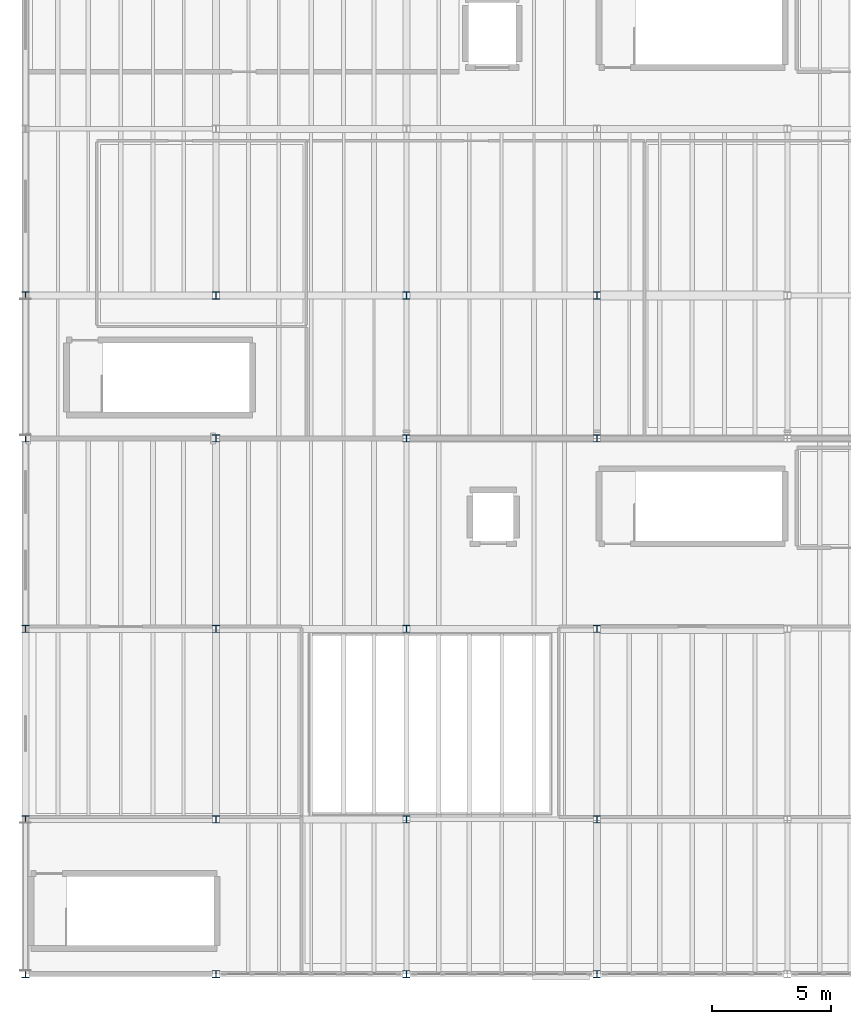
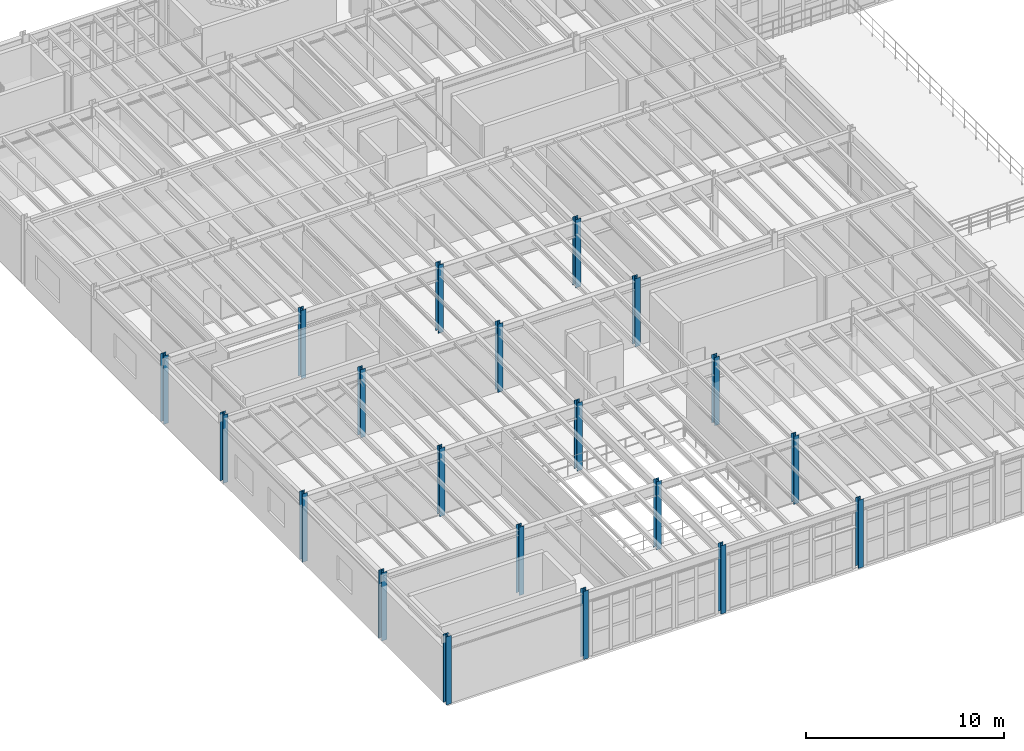
# One storey, part 1 of 78: 20 columns.
"""IFC4 building model written with IfcOpenShell, lengths in metres."""

import ifcopenshell
import ifcopenshell.guid

model = None  # the IFC model being written
_history = None  # IfcOwnerHistory: only IFC2X3 demands one
_inside = {}  # id of a spatial element -> (the spatial element, [elements in it])
_under = {}  # id of a project, library or spatial element -> (it, [spatial elements below it])
_declared = {}  # id of a project -> (the project, [libraries it declares])
_typed = {}  # id of a type object -> (the type object, [elements of that type])
_made_of = {}  # id of a material, layer set ... -> (it, [elements and type objects made of it])


def new_model(schema):
    """Start an empty IFC model of exactly this schema.

    Asked for "IFC4X3", IfcOpenShell would pick the latest addendum, in which some entities
    have other attributes; the version numbers below select the first issue.
    IFC2X3 requires an IfcOwnerHistory on every rooted entity: one is made here for all.
    """
    global model, _history
    if schema == "IFC4X3":
        model = ifcopenshell.file(schema_version=(4, 3, 0, 0))
    else:
        model = ifcopenshell.file(schema=schema)
    _inside.clear()
    _under.clear()
    _declared.clear()
    _typed.clear()
    _made_of.clear()
    _history = None
    if model.schema == "IFC2X3":
        org = make("IfcOrganization", Name="unknown")
        user = make(
            "IfcPersonAndOrganization",
            ThePerson=make("IfcPerson", FamilyName="unknown"),
            TheOrganization=org,
        )
        app = make(
            "IfcApplication",
            ApplicationDeveloper=org,
            Version="unknown",
            ApplicationFullName="unknown",
            ApplicationIdentifier="unknown",
        )
        _history = make(
            "IfcOwnerHistory",
            OwningUser=user,
            OwningApplication=app,
            ChangeAction="ADDED",
            CreationDate=0,
        )
    return model


def make(cls, **values):
    """One entity of the class cls with the attributes given. An attribute that is None is left unset."""
    return model.create_entity(
        cls, **{name: value for name, value in values.items() if value is not None}
    )


def rooted(cls, **values):
    """An entity with a GlobalId (a new one), such as an element, a storey or a relation."""
    return make(cls, GlobalId=ifcopenshell.guid.new(), OwnerHistory=_history, **values)


def si_unit(unit_type, name, prefix=None):
    """IfcSIUnit, for example si_unit("LENGTHUNIT", "METRE", prefix="MILLI")."""
    return make("IfcSIUnit", UnitType=unit_type, Prefix=prefix, Name=name)


def assignment(units):
    """IfcUnitAssignment: the units of a project."""
    return None if units is None else make("IfcUnitAssignment", Units=units)


def point(xyz):
    """IfcCartesianPoint."""
    return None if xyz is None else make("IfcCartesianPoint", Coordinates=xyz)


def direction(xyz):
    """IfcDirection."""
    return None if xyz is None else make("IfcDirection", DirectionRatios=xyz)


def frame(location, z_axis=None, x_axis=None):
    """IfcAxis2Placement3D, a coordinate frame: its origin and axes. An axis left out is left unset."""
    return make(
        "IfcAxis2Placement3D",
        Location=point(location),
        Axis=direction(z_axis),
        RefDirection=direction(x_axis),
    )


def frame_2d(location, x_axis=None):
    """IfcAxis2Placement2D, a coordinate frame in the plane: its origin and x axis."""
    return make(
        "IfcAxis2Placement2D", Location=point(location), RefDirection=direction(x_axis)
    )


def origin():
    """The frame at (0, 0, 0) with its axes left unset."""
    return frame((0.0, 0.0, 0.0))


def origin_2d():
    """The frame at (0, 0) in the plane with its x axis left unset."""
    return frame_2d((0.0, 0.0))


def place(relative_to, where):
    """IfcLocalPlacement: puts the frame where relative to a parent placement (None: the world)."""
    return make(
        "IfcLocalPlacement", PlacementRelTo=relative_to, RelativePlacement=where
    )


def context(
    kind, dimensions, precision=None, world=None, true_north=None, identifier=None
):
    """IfcGeometricRepresentationContext, for example the 3D "Model" context."""
    return make(
        "IfcGeometricRepresentationContext",
        ContextIdentifier=identifier,
        ContextType=kind,
        CoordinateSpaceDimension=dimensions,
        Precision=precision,
        WorldCoordinateSystem=world,
        TrueNorth=true_north,
    )


def subcontext(parent, identifier, kind, view, scale=None):
    """IfcGeometricRepresentationSubContext, for example "Body" below "Model"."""
    return make(
        "IfcGeometricRepresentationSubContext",
        ContextIdentifier=identifier,
        ContextType=kind,
        ParentContext=parent,
        TargetScale=scale,
        TargetView=view,
    )


def project(units=None, contexts=None):
    """IfcProject with its units and contexts."""
    return rooted(
        "IfcProject",
        Name="project",
        RepresentationContexts=contexts,
        UnitsInContext=assignment(units),
    )


def spatial(cls, under=None, at=None, **own):
    """A site, building, storey or space (cls), placed at a placement, below another one or the project."""
    s = rooted(cls, ObjectPlacement=at, **own)
    if under is not None:
        _under.setdefault(under.id(), (under, []))[1].append(s)
    return s


def profile(cls, at=None, kind="AREA", **sizes):
    """A parametric profile (cls). Its sizes go by their IFC names, for example OverallWidth=200.0."""
    return make(cls, ProfileType=kind, Position=at, **sizes)


def i_section(**sizes):
    """IfcIShapeProfileDef."""
    return profile("IfcIShapeProfileDef", **sizes)


def extrude(swept, where, along, depth):
    """IfcExtrudedAreaSolid: the profile swept, set in the frame where, extruded along a direction by depth."""
    return make(
        "IfcExtrudedAreaSolid",
        SweptArea=swept,
        Position=where,
        ExtrudedDirection=direction(along),
        Depth=depth,
    )


def shape(context_of_items, identifier, shape_type, items):
    """IfcShapeRepresentation: the items that make up one representation, for example the "Body"."""
    return make(
        "IfcShapeRepresentation",
        ContextOfItems=context_of_items,
        RepresentationIdentifier=identifier,
        RepresentationType=shape_type,
        Items=items,
    )


def material(Name=None, Category=None):
    """IfcMaterial."""
    return make("IfcMaterial", Name=Name, Category=Category)


def material_profile(
    of_material, cross_section, Name=None, Category=None, Priority=None
):
    """IfcMaterialProfile: a cross section and its material."""
    return make(
        "IfcMaterialProfile",
        Name=Name,
        Material=of_material,
        Profile=cross_section,
        Priority=Priority,
        Category=Category,
    )


def profile_set(profiles, Name=None, composite=None):
    """IfcMaterialProfileSet."""
    return make(
        "IfcMaterialProfileSet",
        Name=Name,
        MaterialProfiles=profiles,
        CompositeProfile=composite,
    )


def made_of(thing, what):
    """Note that an element or type object is made of a material, layer set ...; save() writes the relation."""
    if what is not None:
        _made_of.setdefault(what.id(), (what, []))[1].append(thing)
    return thing


def type_object(cls, material=None, **own):
    """A type object (cls), such as IfcWallType, which elements share."""
    return made_of(rooted(cls, **own), material)


def element(
    cls,
    number,
    at=None,
    inside=None,
    cuts=None,
    type_object=None,
    material=None,
    context=None,
    identifier="Body",
    shape_type=None,
    held_by="IfcProductDefinitionShape",
    body=None,
    shapes=None,
    **own,
):
    """One element of the class cls, such as IfcWall. Its Tag is "e" and its number.

    at: its placement. inside: the storey or other place that contains it. cuts: it is an
    opening in that element (IfcRelVoidsElement). A single representation is given by context,
    identifier, shape_type and body (its items); several are given by shapes. held_by: the class
    of the entity that holds the representations. save() writes the other relations.
    """
    e = rooted(cls, Tag="e%d" % number, ObjectPlacement=at, **own)
    if body is not None:
        shapes = [shape(context, identifier, shape_type, body)]
    if shapes is not None:
        e.Representation = make(held_by, Representations=shapes)
    if inside is not None:
        _inside.setdefault(inside.id(), (inside, []))[1].append(e)
    if cuts is not None:
        rooted(
            "IfcRelVoidsElement", RelatingBuildingElement=cuts, RelatedOpeningElement=e
        )
    if type_object is not None:
        _typed.setdefault(type_object.id(), (type_object, []))[1].append(e)
    return made_of(e, material)


def aggregate(whole, parts):
    """IfcRelAggregates: a whole, such as a stair, and the parts it consists of."""
    return rooted("IfcRelAggregates", RelatingObject=whole, RelatedObjects=parts)


def save(model, path):
    """Write the relations noted so far, then the file.

    IfcRelAggregates (storeys below a building ...), IfcRelContainedInSpatialStructure (elements
    in a storey), IfcRelDefinesByType, IfcRelAssociatesMaterial and IfcRelDeclares: one each for
    every whole, place, type object, material and project.
    """
    for whole, parts in _under.values():
        aggregate(whole, parts)
    for where, things in _inside.values():
        rooted(
            "IfcRelContainedInSpatialStructure",
            RelatedElements=things,
            RelatingStructure=where,
        )
    for kind, things in _typed.values():
        rooted("IfcRelDefinesByType", RelatedObjects=things, RelatingType=kind)
    for what, things in _made_of.values():
        rooted("IfcRelAssociatesMaterial", RelatedObjects=things, RelatingMaterial=what)
    for by, libraries in _declared.values():
        rooted("IfcRelDeclares", RelatingContext=by, RelatedDefinitions=libraries)
    model.write(path)


model = new_model("IFC4")

# Units and contexts
model_context = context("Model", 3, precision=1e-05, world=origin(), true_north=direction((0.0, 1.0)))
body_context = subcontext(model_context, "Body", "Model", "MODEL_VIEW")
ifc_project = project(units=[si_unit("LENGTHUNIT", "METRE"), si_unit("AREAUNIT", "SQUARE_METRE"), si_unit("VOLUMEUNIT", "CUBIC_METRE"), si_unit("PLANEANGLEUNIT", "RADIAN"), si_unit("MASSUNIT", "GRAM", prefix="KILO"), si_unit("THERMODYNAMICTEMPERATUREUNIT", "KELVIN"), si_unit("POWERUNIT", "WATT")], contexts=[model_context])

# Site, building, storey
site_placement = place(None, origin())
site = spatial("IfcSite", under=ifc_project, at=site_placement, CompositionType="ELEMENT")
building_placement = place(site_placement, origin())
building = spatial("IfcBuilding", under=site, at=building_placement, Name="Zhenchuan Central Fire Station", CompositionType="ELEMENT")
storey_placement = place(building_placement, frame((0.0, 0.0, 5.85009765625)))
storey = spatial("IfcBuildingStorey", under=building, at=storey_placement, Name="L02", CompositionType="ELEMENT", Elevation=5.85009765625)

# Columns
ifc_material = material(Name="Steel Q355B", Category="steel")
ifc_material_profile_1 = material_profile(ifc_material, i_section(OverallWidth=0.300048828125, OverallDepth=0.300048828125, WebThickness=0.010009765625, FlangeThickness=0.014892578125, FilletRadius=0.01806640625, at=origin_2d()), Name="HW 300x300")
ifc_profile_set_1 = profile_set([ifc_material_profile_1], Name="Steel Q355B")
column_type_1 = type_object("IfcColumnType", Name="COL-HW300", PredefinedType="COLUMN", material=ifc_profile_set_1)
for number, where, z_axis, x_axis, name in (
    (1, (0.0, 0.0, 0.0), (0.0, 0.0, 1.0), (1.0, 0.0, 0.0), "L02 Column 001"),
    (2, (0.0, 6.5, 0.0), (0.0, 0.0, 1.0), (1.0, 0.0, 0.0), "L02 Column 002"),
    (3, (0.0, 14.5, 0.0), (0.0, 0.0, 1.0), (1.0, 0.0, 0.0), "L02 Column 003"),
    (4, (0.0, 22.5, 0.0), (0.0, 0.0, 1.0), (1.0, 0.0, 0.0), "L02 Column 004"),
    (5, (0.0, 28.5, 0.0), (0.0, 0.0, 1.0), (1.0, 0.0, 0.0), "L02 Column 005"),
    (6, (8.0, 0.0, 0.0), (0.0, 0.0, 1.0), (1.0, 0.0, 0.0), "L02 Column 010"),
    (7, (16.0, 0.0, 0.0), (0.0, 0.0, 1.0), (1.0, 0.0, 0.0), "L02 Column 019"),
    (8, (24.0, 0.0, 0.0), (0.0, 0.0, 1.0), (1.0, 0.0, 0.0), "L02 Column 028"),
):
    element("IfcColumn", number, at=place(storey_placement, frame(where, z_axis=z_axis, x_axis=x_axis)), inside=storey, type_object=column_type_1, Name=name, PredefinedType="COLUMN", context=body_context, shape_type="SweptSolid", body=[
        extrude(i_section(OverallWidth=0.300048828125, OverallDepth=0.300048828125, WebThickness=0.010009765625, FlangeThickness=0.014892578125, FilletRadius=0.01806640625, at=origin_2d()), origin(), (0.0, 0.0, 1.0), 4.199951171875),
    ])
ifc_material_profile_2 = material_profile(ifc_material, i_section(OverallWidth=0.300048828125, OverallDepth=0.300048828125, WebThickness=0.010009765625, FlangeThickness=0.014892578125, FilletRadius=0.01806640625, at=origin_2d()), Name="HW 300x300")
ifc_profile_set_2 = profile_set([ifc_material_profile_2], Name="Steel Q355B")
column_type_2 = type_object("IfcColumnType", Name="COL-HW300-INT", PredefinedType="COLUMN", material=ifc_profile_set_2)
for number, where, z_axis, x_axis, name in (
    (9, (8.0, 6.5, 0.0), (0.0, 0.0, 1.0), (1.0, 0.0, 0.0), "L02 Column 011"),
    (10, (8.0, 14.5, 0.0), (0.0, 0.0, 1.0), (1.0, 0.0, 0.0), "L02 Column 012"),
    (11, (8.0, 22.5, 0.0), (0.0, 0.0, 1.0), (1.0, 0.0, 0.0), "L02 Column 013"),
    (12, (8.0, 28.5, 0.0), (0.0, 0.0, 1.0), (1.0, 0.0, 0.0), "L02 Column 014"),
    (13, (16.0, 6.5, 0.0), (0.0, 0.0, 1.0), (1.0, 0.0, 0.0), "L02 Column 020"),
    (14, (16.0, 14.5, 0.0), (0.0, 0.0, 1.0), (1.0, 0.0, 0.0), "L02 Column 021"),
    (15, (16.0, 22.5, 0.0), (0.0, 0.0, 1.0), (1.0, 0.0, 0.0), "L02 Column 022"),
    (16, (16.0, 28.5, 0.0), (0.0, 0.0, 1.0), (1.0, 0.0, 0.0), "L02 Column 023"),
    (17, (24.0, 6.5, 0.0), (0.0, 0.0, 1.0), (1.0, 0.0, 0.0), "L02 Column 029"),
    (18, (24.0, 14.5, 0.0), (0.0, 0.0, 1.0), (1.0, 0.0, 0.0), "L02 Column 030"),
    (19, (24.0, 22.5, 0.0), (0.0, 0.0, 1.0), (1.0, 0.0, 0.0), "L02 Column 031"),
    (20, (24.0, 28.5, 0.0), (0.0, 0.0, 1.0), (1.0, 0.0, 0.0), "L02 Column 032"),
):
    element("IfcColumn", number, at=place(storey_placement, frame(where, z_axis=z_axis, x_axis=x_axis)), inside=storey, type_object=column_type_2, Name=name, PredefinedType="COLUMN", context=body_context, shape_type="SweptSolid", body=[
        extrude(i_section(OverallWidth=0.300048828125, OverallDepth=0.300048828125, WebThickness=0.010009765625, FlangeThickness=0.014892578125, FilletRadius=0.01806640625, at=origin_2d()), origin(), (0.0, 0.0, 1.0), 4.199951171875),
    ])

save(model, "model.ifc")
